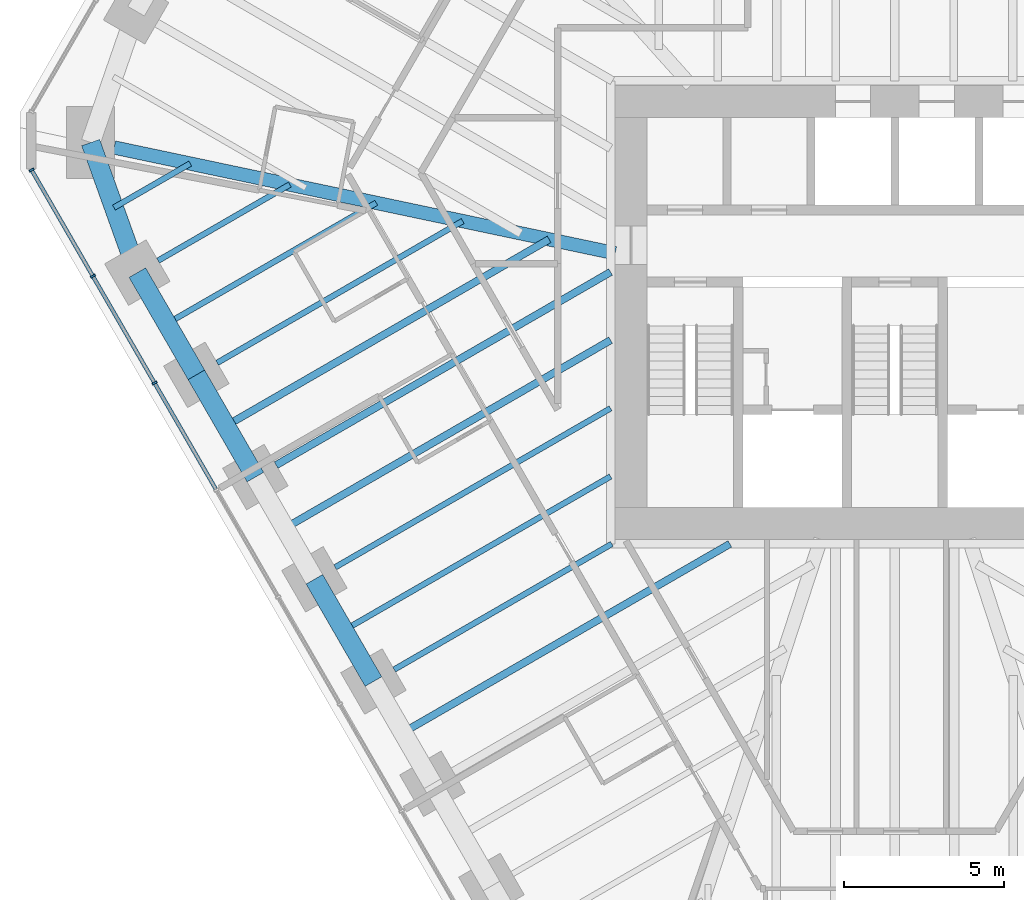
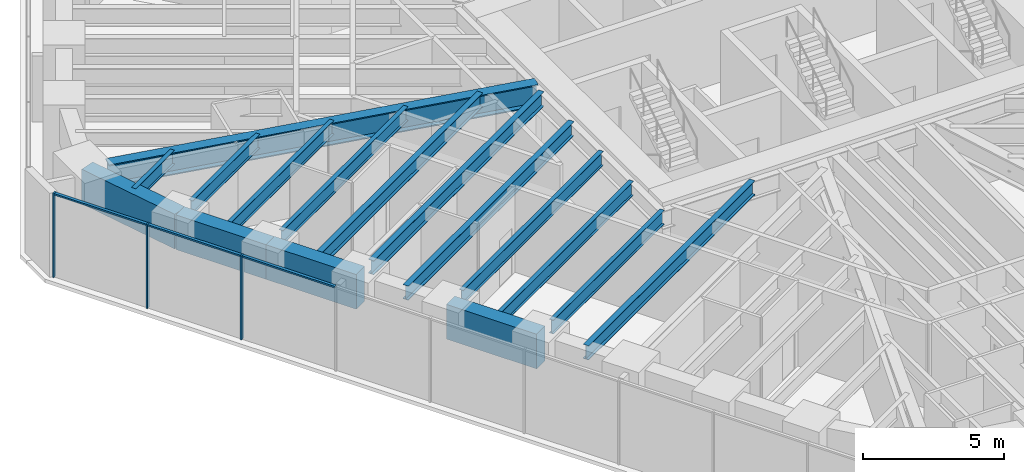
# One storey, part 3 of 17: 16 beams, 6 members, 1 element without a shape of its own.
"""IFC4 building model written with IfcOpenShell, lengths in metres."""

from ifc_helpers import new_model, si_unit, direction, frame, origin, origin_2d, place, context, subcontext, project, spatial, rectangle, i_section, extrude, material, material_profile, profile_set, type_object, element, aggregate, save


model = new_model("IFC4")

# Units and contexts
model_context = context("Model", 3, precision=1e-05, world=origin(), true_north=direction((0.0, 1.0)))
body_context = subcontext(model_context, "Body", "Model", "MODEL_VIEW")
ifc_project = project(units=[si_unit("LENGTHUNIT", "METRE"), si_unit("AREAUNIT", "SQUARE_METRE"), si_unit("VOLUMEUNIT", "CUBIC_METRE"), si_unit("PLANEANGLEUNIT", "RADIAN"), si_unit("MASSUNIT", "GRAM", prefix="KILO")], contexts=[model_context])

# Site, building, storey
site_placement = place(None, origin())
site = spatial("IfcSite", under=ifc_project, at=site_placement, CompositionType="ELEMENT")
building_placement = place(site_placement, origin())
building = spatial("IfcBuilding", under=site, at=building_placement, Name="Sandreach Pilgrim Tower", CompositionType="ELEMENT")
storey_placement = place(building_placement, frame((0.0, 0.0, 221.199951171875)))
storey = spatial("IfcBuildingStorey", under=building, at=storey_placement, Name="L55", CompositionType="ELEMENT", Elevation=221.199951171875)

# Curtain wall, members
ifc_material_1 = material(Name="Aluminium framed curtain wall", Category="aluminium")
curtain_wall_type = type_object("IfcCurtainWallType", Name="Upper hotel tower curtain wall", PredefinedType="NOTDEFINED", material=ifc_material_1)
curtain_wall_placement = place(storey_placement, origin())
curtain_wall = element("IfcCurtainWall", 1, at=curtain_wall_placement, inside=storey, type_object=curtain_wall_type, Name="CW-3 L55 SW", PredefinedType="NOTDEFINED")
ifc_material_2 = material(Name="Aluminium extrusion", Category="aluminium")
ifc_material_profile_1 = material_profile(ifc_material_2, rectangle(XDim=0.06494140625, YDim=0.159912109375, at=origin_2d()), Name="CW-3M 65X160")
ifc_profile_set_1 = profile_set([ifc_material_profile_1], Name="Aluminium extrusion")
member_type_1 = type_object("IfcMemberType", Name="CW-3 mullion", PredefinedType="MULLION", material=ifc_profile_set_1)
member_1_placement = place(storey_placement, frame((-23.15576171875, -2.21337890625, 0.0), z_axis=(0.0, 0.0, 1.0), x_axis=(-0.5, 0.866025403784, 0.0)))
member_1 = element("IfcMember", 2, at=member_1_placement, type_object=member_type_1, Name="CW-3 mullion 8", PredefinedType="MULLION", context=body_context, shape_type="SweptSolid", body=[
    extrude(rectangle(XDim=0.06494140625, YDim=0.159912109375, at=origin_2d()), origin(), (0.0, 0.0, 1.0), 3.64013671875),
])
member_2_placement = place(storey_placement, frame((-25.087890625, 1.13330078125, 0.0), z_axis=(0.0, 0.0, 1.0), x_axis=(-0.5, 0.866025403784, 0.0)))
member_2 = element("IfcMember", 3, at=member_2_placement, type_object=member_type_1, Name="CW-3 mullion 9", PredefinedType="MULLION", context=body_context, shape_type="SweptSolid", body=[
    extrude(rectangle(XDim=0.06494140625, YDim=0.159912109375, at=origin_2d()), origin(), (0.0, 0.0, 1.0), 3.64013671875),
])
member_3_placement = place(storey_placement, frame((-27.00390625, 4.451904296875, 0.0), z_axis=(0.0, 0.0, 1.0), x_axis=(-0.5, 0.866025403784, 0.0)))
member_3 = element("IfcMember", 4, at=member_3_placement, type_object=member_type_1, Name="CW-3 mullion 10", PredefinedType="MULLION", context=body_context, shape_type="SweptSolid", body=[
    extrude(rectangle(XDim=0.06494140625, YDim=0.159912109375, at=origin_2d()), origin(), (0.0, 0.0, 1.0), 3.64013671875),
])
ifc_material_3 = material(Name="Aluminium extrusion", Category="aluminium")
ifc_material_profile_2 = material_profile(ifc_material_3, rectangle(XDim=0.1201171875, YDim=0.070068359375, at=origin_2d()), Name="CW-3T 120X70")
ifc_profile_set_2 = profile_set([ifc_material_profile_2], Name="Aluminium extrusion")
member_type_2 = type_object("IfcMemberType", Name="CW-3 transom", PredefinedType="USERDEFINED", material=ifc_profile_set_2)
member_4_placement = place(storey_placement, frame((-21.23974609375, -5.531982421875, 3.60498046875), z_axis=(-0.499974606132, 0.866040064445, 0.0), x_axis=(-0.866040064445, -0.499974606132, 0.0)))
member_4 = element("IfcMember", 5, at=member_4_placement, type_object=member_type_2, Name="CW-3 head transom 7", ObjectType="TRANSOM", PredefinedType="USERDEFINED", context=body_context, shape_type="SweptSolid", body=[
    extrude(rectangle(XDim=0.1201171875, YDim=0.070068359375, at=origin_2d()), origin(), (0.0, 0.0, 1.0), 3.799560546875),
])
member_5_placement = place(storey_placement, frame((-23.171875, -2.185302734375, 3.60498046875), z_axis=(-0.500022797313, 0.86601224135, 0.0), x_axis=(-0.86601224135, -0.500022797313, 0.0)))
member_5 = element("IfcMember", 6, at=member_5_placement, type_object=member_type_2, Name="CW-3 head transom 8", ObjectType="TRANSOM", PredefinedType="USERDEFINED", context=body_context, shape_type="SweptSolid", body=[
    extrude(rectangle(XDim=0.1201171875, YDim=0.070068359375, at=origin_2d()), origin(), (0.0, 0.0, 1.0), 3.799560546875),
])
member_6_placement = place(storey_placement, frame((-25.104248046875, 1.161376953125, 3.60498046875), z_axis=(-0.499944992379, 0.86605716012, 0.0), x_axis=(-0.86605716012, -0.499944992379, 0.0)))
member_6 = element("IfcMember", 7, at=member_6_placement, type_object=member_type_2, Name="CW-3 head transom 9", ObjectType="TRANSOM", PredefinedType="USERDEFINED", context=body_context, shape_type="SweptSolid", body=[
    extrude(rectangle(XDim=0.1201171875, YDim=0.070068359375, at=origin_2d()), origin(), (0.0, 0.0, 1.0), 3.76708984375),
])
aggregate(curtain_wall, [member_1, member_2, member_3, member_4, member_5, member_6])

# Beams
ifc_material_4 = material(Name="Steel ASTM A992 Grade 50", Category="steel")
ifc_material_profile_3 = material_profile(ifc_material_4, i_section(OverallWidth=0.421630859375, OverallDepth=0.95751953125, WebThickness=0.02587890625, FlangeThickness=0.046875, at=origin_2d()), Name="W36X330")
ifc_profile_set_3 = profile_set([ifc_material_profile_3], Name="Steel ASTM A992 Grade 50")
beam_type_1 = type_object("IfcBeamType", Name="Corner girder W36X330", PredefinedType="BEAM", material=ifc_profile_set_3)
beam_1_placement = place(storey_placement, frame((-24.422607421875, 5.156494140625, 3.161376953125), z_axis=(0.978428978804, -0.206583478132, 0.0), x_axis=(0.206583478132, 0.978428978804, 0.0)))
element("IfcBeam", 8, at=beam_1_placement, inside=storey, type_object=beam_type_1, Name="BM L55 CG35", PredefinedType="BEAM", context=body_context, shape_type="SweptSolid", body=[
    extrude(i_section(OverallWidth=0.421630859375, OverallDepth=0.95751953125, WebThickness=0.02587890625, FlangeThickness=0.046875, at=origin_2d()), origin(), (0.0, 0.0, 1.0), 16.01806640625),
])
ifc_material_5 = material(Name="Steel ASTM A992 Grade 50", Category="steel")
ifc_material_profile_4 = material_profile(ifc_material_5, i_section(OverallWidth=0.1787109375, OverallDepth=0.60205078125, WebThickness=0.010986328125, FlangeThickness=0.014892578125, at=origin_2d()), Name="W24X62")
ifc_profile_set_4 = profile_set([ifc_material_profile_4], Name="Steel ASTM A992 Grade 50")
beam_type_2 = type_object("IfcBeamType", Name="Floor beam W24X62", PredefinedType="BEAM", material=ifc_profile_set_4)
beam_2_placement = place(storey_placement, frame((-15.661376953125, -11.173828125, 3.339111328125), z_axis=(0.866038711524, 0.49997694961, 0.0), x_axis=(-0.49997694961, 0.866038711524, 0.0)))
element("IfcBeam", 9, at=beam_2_placement, inside=storey, type_object=beam_type_2, Name="BM L55 F30", PredefinedType="BEAM", context=body_context, shape_type="SweptSolid", body=[
    extrude(i_section(OverallWidth=0.1787109375, OverallDepth=0.60205078125, WebThickness=0.010986328125, FlangeThickness=0.014892578125, at=origin_2d()), origin(), (0.0, 0.0, 1.0), 7.861083984375),
])
beam_3_placement = place(storey_placement, frame((-17.507568359375, -7.97607421875, 3.339111328125), z_axis=(0.866027815265, 0.499995823171, 0.0), x_axis=(-0.499995823171, 0.866027815265, 0.0)))
element("IfcBeam", 10, at=beam_3_placement, inside=storey, type_object=beam_type_2, Name="BM L55 F31", PredefinedType="BEAM", context=body_context, shape_type="SweptSolid", body=[
    extrude(i_section(OverallWidth=0.1787109375, OverallDepth=0.60205078125, WebThickness=0.010986328125, FlangeThickness=0.014892578125, at=origin_2d()), origin(), (0.0, 0.0, 1.0), 9.94677734375),
])
beam_4_placement = place(storey_placement, frame((-21.2001953125, -1.58056640625, 3.339111328125), z_axis=(0.866027448082, 0.499996459156, 0.0), x_axis=(-0.499996459156, 0.866027448082, 0.0)))
element("IfcBeam", 11, at=beam_4_placement, inside=storey, type_object=beam_type_2, Name="BM L55 F33", PredefinedType="BEAM", context=body_context, shape_type="SweptSolid", body=[
    extrude(i_section(OverallWidth=0.1787109375, OverallDepth=0.60205078125, WebThickness=0.010986328125, FlangeThickness=0.014892578125, at=origin_2d()), origin(), (0.0, 0.0, 1.0), 8.86962890625),
])
beam_5_placement = place(storey_placement, frame((-23.04638671875, 1.6171875, 3.339111328125), z_axis=(0.86603347311, 0.499986023258, 0.0), x_axis=(-0.499986023258, 0.86603347311, 0.0)))
element("IfcBeam", 12, at=beam_5_placement, inside=storey, type_object=beam_type_2, Name="BM L55 F34", PredefinedType="BEAM", context=body_context, shape_type="SweptSolid", body=[
    extrude(i_section(OverallWidth=0.1787109375, OverallDepth=0.60205078125, WebThickness=0.010986328125, FlangeThickness=0.014892578125, at=origin_2d()), origin(), (0.0, 0.0, 1.0), 4.757568359375),
])
beam_6_placement = place(storey_placement, frame((-17.23388671875, -9.949951171875, 3.339111328125), z_axis=(0.866025593094, 0.499999672107, 0.0), x_axis=(-0.499999672107, 0.866025593094, 0.0)))
element("IfcBeam", 13, at=beam_6_placement, inside=storey, type_object=beam_type_2, Name="BM L55 FM30", PredefinedType="BEAM", context=body_context, shape_type="SweptSolid", body=[
    extrude(i_section(OverallWidth=0.1787109375, OverallDepth=0.60205078125, WebThickness=0.010986328125, FlangeThickness=0.014892578125, at=origin_2d()), origin(), (0.0, 0.0, 1.0), 9.630859375),
])
beam_7_placement = place(storey_placement, frame((-22.772705078125, -0.356689453125, 3.339111328125), z_axis=(0.866029704776, 0.49999255039, 0.0), x_axis=(-0.49999255039, 0.866029704776, 0.0)))
element("IfcBeam", 14, at=beam_7_placement, inside=storey, type_object=beam_type_2, Name="BM L55 FM33", PredefinedType="BEAM", context=body_context, shape_type="SweptSolid", body=[
    extrude(i_section(OverallWidth=0.1787109375, OverallDepth=0.60205078125, WebThickness=0.010986328125, FlangeThickness=0.014892578125, at=origin_2d()), origin(), (0.0, 0.0, 1.0), 7.5634765625),
])
beam_8_placement = place(storey_placement, frame((-24.42626953125, 3.27685546875, 3.339111328125), z_axis=(0.866046803606, 0.49996293259, 0.0), x_axis=(-0.49996293259, 0.866046803606, 0.0)))
element("IfcBeam", 15, at=beam_8_placement, inside=storey, type_object=beam_type_2, Name="BM L55 FM34", PredefinedType="BEAM", context=body_context, shape_type="SweptSolid", body=[
    extrude(i_section(OverallWidth=0.1787109375, OverallDepth=0.60205078125, WebThickness=0.010986328125, FlangeThickness=0.014892578125, at=origin_2d()), origin(), (0.0, 0.0, 1.0), 2.753662109375),
])
ifc_material_6 = material(Name="Steel ASTM A992 Grade 50", Category="steel")
ifc_material_profile_5 = material_profile(ifc_material_6, i_section(OverallWidth=0.23046875, OverallDepth=0.6171875, WebThickness=0.01318359375, FlangeThickness=0.022216796875, at=origin_2d()), Name="W24X94")
ifc_profile_set_5 = profile_set([ifc_material_profile_5], Name="Steel ASTM A992 Grade 50")
beam_type_3 = type_object("IfcBeamType", Name="Floor beam W24X94", PredefinedType="BEAM", material=ifc_profile_set_5)
beam_9_placement = place(storey_placement, frame((-19.353759765625, -4.7783203125, 3.33154296875), z_axis=(0.866026713419, 0.49999773164, 0.0), x_axis=(-0.49999773164, 0.866026713419, 0.0)))
element("IfcBeam", 16, at=beam_9_placement, inside=storey, type_object=beam_type_3, Name="BM L55 F32", PredefinedType="BEAM", context=body_context, shape_type="SweptSolid", body=[
    extrude(i_section(OverallWidth=0.23046875, OverallDepth=0.6171875, WebThickness=0.01318359375, FlangeThickness=0.022216796875, at=origin_2d()), origin(), (0.0, 0.0, 1.0), 12.07861328125),
])
beam_10_placement = place(storey_placement, frame((-15.3876953125, -13.14794921875, 3.33154296875), z_axis=(0.866022050506, 0.500005808004, 0.0), x_axis=(-0.500005808004, 0.866022050506, 0.0)))
element("IfcBeam", 17, at=beam_10_placement, inside=storey, type_object=beam_type_3, Name="BM L55 FM29", PredefinedType="BEAM", context=body_context, shape_type="SweptSolid", body=[
    extrude(i_section(OverallWidth=0.23046875, OverallDepth=0.6171875, WebThickness=0.01318359375, FlangeThickness=0.022216796875, at=origin_2d()), origin(), (0.0, 0.0, 1.0), 11.808837890625),
])
beam_11_placement = place(storey_placement, frame((-19.080322265625, -6.752197265625, 3.33154296875), z_axis=(0.866030053141, 0.499991946992, 0.0), x_axis=(-0.499991946992, 0.866030053141, 0.0)))
element("IfcBeam", 18, at=beam_11_placement, inside=storey, type_object=beam_type_3, Name="BM L55 FM31", PredefinedType="BEAM", context=body_context, shape_type="SweptSolid", body=[
    extrude(i_section(OverallWidth=0.23046875, OverallDepth=0.6171875, WebThickness=0.01318359375, FlangeThickness=0.022216796875, at=origin_2d()), origin(), (0.0, 0.0, 1.0), 11.762939453125),
])
beam_12_placement = place(storey_placement, frame((-20.926513671875, -3.554443359375, 3.33154296875), z_axis=(0.866026454974, 0.499998179282, 0.0), x_axis=(-0.499998179282, 0.866026454974, 0.0)))
element("IfcBeam", 19, at=beam_12_placement, inside=storey, type_object=beam_type_3, Name="BM L55 FM32", PredefinedType="BEAM", context=body_context, shape_type="SweptSolid", body=[
    extrude(i_section(OverallWidth=0.23046875, OverallDepth=0.6171875, WebThickness=0.01318359375, FlangeThickness=0.022216796875, at=origin_2d()), origin(), (0.0, 0.0, 1.0), 11.67578125),
])
ifc_material_7 = material(Name="Concrete 10000 psi", Category="concrete")
ifc_material_profile_6 = material_profile(ifc_material_7, rectangle(XDim=0.60009765625, YDim=1.5, at=origin_2d()), Name="RC600X1500")
ifc_profile_set_6 = profile_set([ifc_material_profile_6], Name="Concrete 10000 psi")
beam_type_4 = type_object("IfcBeamType", Name="Spandrel beam RC600X1500", PredefinedType="SPANDREL", material=ifc_profile_set_6)
beam_13_placement = place(storey_placement, frame((-16.310791015625, -11.548828125, 2.89013671875), z_axis=(-0.500042951019, 0.866000604582, 0.0), x_axis=(-0.866000604582, -0.500042951019, 0.0)))
element("IfcBeam", 20, at=beam_13_placement, inside=storey, type_object=beam_type_4, Name="BM L55 SP30", PredefinedType="SPANDREL", context=body_context, shape_type="SweptSolid", body=[
    extrude(rectangle(XDim=0.60009765625, YDim=1.5, at=origin_2d()), origin(), (0.0, 0.0, 1.0), 3.692626953125),
])
for number, where, z_axis, x_axis, name in (
    (21, (-20.00341796875, -5.1533203125, 2.89013671875), (-0.499993363642, 0.866029235253, 0.0), (-0.866029235253, -0.499993363642, 0.0), "BM L55 SP32"),
    (22, (-21.849609375, -1.95556640625, 2.89013671875), (-0.499993363642, 0.866029235253, 0.0), (-0.866029235253, -0.499993363642, 0.0), "BM L55 SP33"),
):
    element("IfcBeam", number, at=place(storey_placement, frame(where, z_axis=z_axis, x_axis=x_axis)), inside=storey, type_object=beam_type_4, Name=name, PredefinedType="SPANDREL", context=body_context, shape_type="SweptSolid", body=[
        extrude(rectangle(XDim=0.60009765625, YDim=1.5, at=origin_2d()), origin(), (0.0, 0.0, 1.0), 3.6923828125),
    ])
beam_14_placement = place(storey_placement, frame((-23.69580078125, 1.2421875, 2.89013671875), z_axis=(-0.337863470932, 0.941195131208, 0.0), x_axis=(-0.941195131208, -0.337863470932, 0.0)))
element("IfcBeam", 23, at=beam_14_placement, inside=storey, type_object=beam_type_4, Name="BM L55 SP34", PredefinedType="SPANDREL", context=body_context, shape_type="SweptSolid", body=[
    extrude(rectangle(XDim=0.60009765625, YDim=1.5, at=origin_2d()), origin(), (0.0, 0.0, 1.0), 4.3232421875),
])

save(model, "model.ifc")
